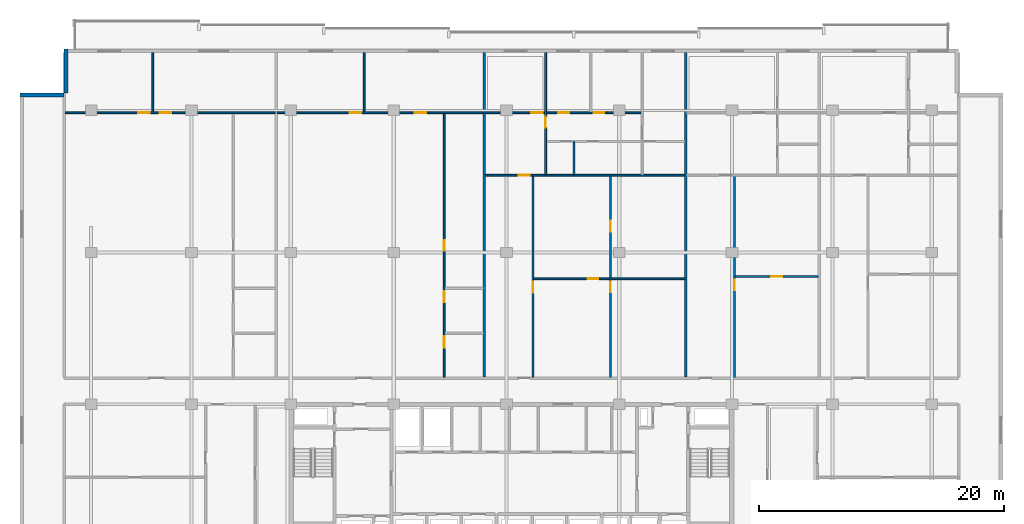
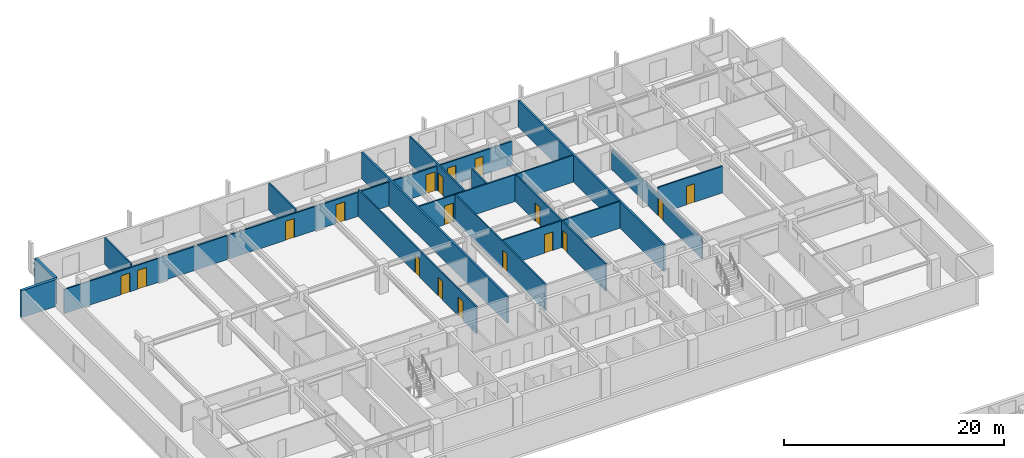
# One storey, part 14 of 22: 18 doors, 18 walls, 18 openings.
"""IFC4 building model written with IfcOpenShell, lengths in metres."""

from ifc_helpers import new_model, si_unit, direction, frame, frame_2d, origin, place, context, subcontext, project, spatial, rectangle, extrude, material, layer, layer_set, type_object, element, fill, save


model = new_model("IFC4")

# Units and contexts
model_context = context("Model", 3, precision=1e-05, world=origin(), true_north=direction((0.0, 1.0)))
body_context = subcontext(model_context, "Body", "Model", "MODEL_VIEW")
ifc_project = project(units=[si_unit("LENGTHUNIT", "METRE"), si_unit("AREAUNIT", "SQUARE_METRE"), si_unit("VOLUMEUNIT", "CUBIC_METRE"), si_unit("PLANEANGLEUNIT", "RADIAN"), si_unit("MASSUNIT", "GRAM", prefix="KILO")], contexts=[model_context])

# Site, building, storey
site_placement = place(None, origin())
site = spatial("IfcSite", under=ifc_project, at=site_placement, CompositionType="ELEMENT")
building_placement = place(site_placement, origin())
building = spatial("IfcBuilding", under=site, at=building_placement, Name="Korimba Cascade Residences", CompositionType="ELEMENT")
storey_placement = place(building_placement, frame((0.0, 0.0, 90.550048828125)))
storey = spatial("IfcBuildingStorey", under=building, at=storey_placement, Name="L25", CompositionType="ELEMENT", Elevation=90.550048828125)

# Walls
ifc_material_1 = material(Name="Precast concrete C40/50", Category="concrete")
ifc_layer_1 = layer(ifc_material_1, 0.300048828125)
ifc_layer_set_1 = layer_set([ifc_layer_1], Name="Precast concrete C40/50")
wall_type_1 = type_object("IfcWallType", Name="EW-STONE-300", PredefinedType="STANDARD", material=ifc_layer_set_1)
wall_1_placement = place(storey_placement, frame((57.75, 96.199951171875, 0.0), z_axis=(0.0, 0.0, 1.0), x_axis=(0.0, -1.0, 0.0)))
element("IfcWall", 1, at=wall_1_placement, inside=storey, type_object=wall_type_1, Name="L25 T1 Perimeter Stone Wall E07", PredefinedType="STANDARD", context=body_context, shape_type="SweptSolid", body=[
    extrude(rectangle(XDim=3.599853515625, YDim=0.300048828125, at=frame_2d((1.7998046875, 0.0))), origin(), (0.0, 0.0, 1.0), 2.969970703125),
])
wall_2_placement = place(storey_placement, frame((57.60009765625, 92.449951171875, 0.0), z_axis=(0.0, 0.0, 1.0), x_axis=(-1.0, 0.0, 0.0)))
element("IfcWall", 2, at=wall_2_placement, inside=storey, type_object=wall_type_1, Name="L25 T1 Perimeter Stone Wall E08", PredefinedType="STANDARD", context=body_context, shape_type="SweptSolid", body=[
    extrude(rectangle(XDim=3.60009765625, YDim=0.300048828125, at=frame_2d((1.800048828125, 0.0))), origin(), (0.0, 0.0, 1.0), 2.969970703125),
])
ifc_layer_2 = layer(ifc_material_1, 0.199951171875)
ifc_layer_set_2 = layer_set([ifc_layer_2], Name="Precast concrete C40/50")
wall_type_2 = type_object("IfcWallType", Name="WAL-IT-200", PredefinedType="PARTITIONING", material=ifc_layer_set_2)
for number, where, z_axis, x_axis, name in (
    (3, (91.892822265625, 69.429931640625, 0.0), (0.0, 0.0, 1.0), (0.0, 1.0, 0.0), "L25 Partition Wall WAL-L25-T1-DEM-2"),
    (4, (108.335693359375, 69.429931640625, 0.0), (0.0, 0.0, 1.0), (0.0, 1.0, 0.0), "L25 Partition Wall WAL-L25-T1-DEM-3"),
):
    element("IfcWall", number, at=place(storey_placement, frame(where, z_axis=z_axis, x_axis=x_axis)), inside=storey, type_object=wall_type_2, Name=name, PredefinedType="PARTITIONING", context=body_context, shape_type="SweptSolid", body=[
        extrude(rectangle(XDim=26.469970703125, YDim=0.199951171875, at=frame_2d((13.23486328125, 0.0))), origin(), (0.0, 0.0, 1.0), 2.969970703125),
    ])
ifc_material_2 = material(Name="Insulated Acoustic Stud Partition", Category="gypsum")
ifc_layer_3 = layer(ifc_material_2, 0.14990234375)
ifc_layer_set_3 = layer_set([ifc_layer_3], Name="Insulated Acoustic Stud Partition")
wall_type_3 = type_object("IfcWallType", Name="WAL-PART-150", PredefinedType="PARTITIONING", material=ifc_layer_set_3)
wall_3_placement = place(storey_placement, frame((64.8359375, 91.080078125, 0.0), z_axis=(0.0, 0.0, 1.0), x_axis=(0.0, 1.0, 0.0)))
element("IfcWall", 5, at=wall_3_placement, inside=storey, type_object=wall_type_3, Name="L25 Partition Wall WAL-L25-T1-U01-OUTV", PredefinedType="PARTITIONING", context=body_context, shape_type="SweptSolid", body=[
    extrude(rectangle(XDim=4.81982421875, YDim=0.14990234375, at=frame_2d((2.409912109375, 0.0))), origin(), (0.0, 0.0, 1.0), 2.969970703125),
])

# Wall, openings, doors
wall_4_placement = place(storey_placement, frame((57.679931640625, 91.0, 0.0), z_axis=(0.0, 0.0, 1.0), x_axis=(1.0, 0.0, 0.0)))
wall_4 = element("IfcWall", 6, at=wall_4_placement, inside=storey, type_object=wall_type_3, Name="L25 Partition Wall WAL-L25-T1-U01-HZ", PredefinedType="PARTITIONING", context=body_context, shape_type="SweptSolid", body=[
    extrude(rectangle(XDim=17.15185546875, YDim=0.14990234375, at=frame_2d((8.575927734375, 0.0))), origin(), (0.0, 0.0, 1.0), 2.663330078125),
])
opening_1_placement = place(wall_4_placement, frame((5.9658203125, 0.0, 0.0)))
opening_1 = element("IfcOpeningElement", 7, at=opening_1_placement, cuts=wall_4, Name="Opening D-IN0", PredefinedType="OPENING", context=body_context, shape_type="SweptSolid", body=[
    extrude(rectangle(XDim=0.93994140625, YDim=2.10009765625, at=frame_2d((0.469970703125, 1.050048828125))), frame((0.0, 0.0849609375, 0.0), z_axis=(0.0, -1.0, 0.0), x_axis=(1.0, 0.0, 0.0)), (0.0, 0.0, 1.0), 0.169921875),
])
opening_2_placement = place(wall_4_placement, frame((7.714111328125, 0.0, 0.0)))
opening_2 = element("IfcOpeningElement", 8, at=opening_2_placement, cuts=wall_4, Name="Opening D-IN0", PredefinedType="OPENING", context=body_context, shape_type="SweptSolid", body=[
    extrude(rectangle(XDim=0.93994140625, YDim=2.10009765625, at=frame_2d((0.469970703125, 1.050048828125))), frame((0.0, 0.0849609375, 0.0), z_axis=(0.0, -1.0, 0.0), x_axis=(1.0, 0.0, 0.0)), (0.0, 0.0, 1.0), 0.169921875),
])
ifc_material_3 = material(Name="Acoustic Timber Living Archway Door", Category="wood")
door_type_1 = type_object("IfcDoorType", Name="DR-INT-950", OperationType="NOTDEFINED", PredefinedType="DOOR", material=ifc_material_3)
door_1_placement = place(opening_1_placement, origin())
door_1 = element("IfcDoor", 9, at=door_1_placement, inside=storey, type_object=door_type_1, Name="L25-T1-U01 Executive Co-Working Office Door", OperationType="SINGLE_SWING_RIGHT", OverallHeight=2.10009765625, OverallWidth=0.93994140625, PredefinedType="DOOR", context=body_context, shape_type="SweptSolid", body=[
    extrude(rectangle(XDim=0.93994140625, YDim=2.10009765625, at=frame_2d((0.469970703125, 1.050048828125))), frame((0.0, 0.02490234375, 0.0), z_axis=(0.0, -1.0, 0.0), x_axis=(1.0, 0.0, 0.0)), (0.0, 0.0, 1.0), 0.050048828125),
])
fill(opening_1, door_1)
door_2_placement = place(opening_2_placement, origin())
door_2 = element("IfcDoor", 10, at=door_2_placement, inside=storey, type_object=door_type_1, Name="L25-T1-U01 Focus Workstation Office Door", OperationType="SINGLE_SWING_LEFT", OverallHeight=2.10009765625, OverallWidth=0.93994140625, PredefinedType="DOOR", context=body_context, shape_type="SweptSolid", body=[
    extrude(rectangle(XDim=0.93994140625, YDim=2.10009765625, at=frame_2d((0.469970703125, 1.050048828125))), frame((0.0, 0.02490234375, 0.0), z_axis=(0.0, -1.0, 0.0), x_axis=(1.0, 0.0, 0.0)), (0.0, 0.0, 1.0), 0.050048828125),
])
fill(opening_2, door_2)

wall_5_placement = place(storey_placement, frame((88.622802734375, 69.409912109375, 0.0), z_axis=(0.0, 0.0, 1.0), x_axis=(0.0, 1.0, 0.0)))
wall_5 = element("IfcWall", 11, at=wall_5_placement, inside=storey, type_object=wall_type_3, Name="L25 Partition Wall WAL-L25-T1-U02-WCV", PredefinedType="PARTITIONING", context=body_context, shape_type="SweptSolid", body=[
    extrude(rectangle(XDim=21.530029296875, YDim=0.14990234375, at=frame_2d((10.76513671875, 0.0))), origin(), (0.0, 0.0, 1.0), 2.969970703125),
])
opening_3_placement = place(wall_5_placement, frame((2.406005859375, 0.0, 0.0)))
opening_3 = element("IfcOpeningElement", 12, at=opening_3_placement, cuts=wall_5, Name="Opening D-AC1", PredefinedType="OPENING", context=body_context, shape_type="SweptSolid", body=[
    extrude(rectangle(XDim=0.9599609375, YDim=2.10009765625, at=frame_2d((0.47998046875, 1.050048828125))), frame((0.0, 0.0849609375, 0.0), z_axis=(0.0, -1.0, 0.0), x_axis=(1.0, 0.0, 0.0)), (0.0, 0.0, 1.0), 0.169921875),
])
opening_4_placement = place(wall_5_placement, frame((6.132568359375, 0.0, 0.0)))
opening_4 = element("IfcOpeningElement", 13, at=opening_4_placement, cuts=wall_5, Name="Opening D-IN2", PredefinedType="OPENING", context=body_context, shape_type="SweptSolid", body=[
    extrude(rectangle(XDim=0.8798828125, YDim=2.06005859375, at=frame_2d((0.43994140625, 1.030029296875))), frame((0.0, 0.0849609375, 0.0), z_axis=(0.0, -1.0, 0.0), x_axis=(1.0, 0.0, 0.0)), (0.0, 0.0, 1.0), 0.169921875),
])
opening_5_placement = place(wall_5_placement, frame((10.344970703125, 0.0, 0.0)))
opening_5 = element("IfcOpeningElement", 14, at=opening_5_placement, cuts=wall_5, Name="Opening D-BT1", PredefinedType="OPENING", context=body_context, shape_type="SweptSolid", body=[
    extrude(rectangle(XDim=0.840087890625, YDim=2.0400390625, at=frame_2d((0.419921875, 1.02001953125))), frame((0.0, 0.0849609375, 0.0), z_axis=(0.0, -1.0, 0.0), x_axis=(1.0, 0.0, 0.0)), (0.0, 0.0, 1.0), 0.169921875),
])
ifc_material_4 = material(Name="Accessible Acoustic Timber WC Door", Category="wood")
door_type_2 = type_object("IfcDoorType", Name="DR-ACC-950", OperationType="NOTDEFINED", PredefinedType="DOOR", material=ifc_material_4)
door_3_placement = place(opening_3_placement, origin())
door_3 = element("IfcDoor", 15, at=door_3_placement, inside=storey, type_object=door_type_2, Name="L25-T1-U02 Accessible WC Door", OperationType="SINGLE_SWING_RIGHT", OverallHeight=2.10009765625, OverallWidth=0.9599609375, PredefinedType="DOOR", context=body_context, shape_type="SweptSolid", body=[
    extrude(rectangle(XDim=0.9599609375, YDim=2.10009765625, at=frame_2d((0.47998046875, 1.050048828125))), frame((0.0, 0.02490234375, 0.0), z_axis=(0.0, -1.0, 0.0), x_axis=(1.0, 0.0, 0.0)), (0.0, 0.0, 1.0), 0.050048828125),
])
fill(opening_3, door_3)
ifc_material_5 = material(Name="Moisture-Resistant Bathroom Timber Door", Category="wood")
door_type_3 = type_object("IfcDoorType", Name="DR-INT-850", OperationType="NOTDEFINED", PredefinedType="DOOR", material=ifc_material_5)
door_4_placement = place(opening_5_placement, origin())
door_4 = element("IfcDoor", 16, at=door_4_placement, inside=storey, type_object=door_type_3, Name="L25-T1-U02 Suite Store Door", OperationType="SINGLE_SWING_RIGHT", OverallHeight=2.0400390625, OverallWidth=0.840087890625, PredefinedType="DOOR", context=body_context, shape_type="SweptSolid", body=[
    extrude(rectangle(XDim=0.840087890625, YDim=2.0400390625, at=frame_2d((0.419921875, 1.02001953125))), frame((0.0, 0.02490234375, 0.0), z_axis=(0.0, -1.0, 0.0), x_axis=(1.0, 0.0, 0.0)), (0.0, 0.0, 1.0), 0.050048828125),
])
fill(opening_5, door_4)
ifc_material_6 = material(Name="Acoustic Timber Bedroom Door", Category="wood")
door_type_4 = type_object("IfcDoorType", Name="DR-INT-880", OperationType="NOTDEFINED", PredefinedType="DOOR", material=ifc_material_6)
door_5_placement = place(opening_4_placement, origin())
door_5 = element("IfcDoor", 17, at=door_5_placement, inside=storey, type_object=door_type_4, Name="L25-T1-U02 Restroom WC Door", OperationType="SINGLE_SWING_LEFT", OverallHeight=2.06005859375, OverallWidth=0.8798828125, PredefinedType="DOOR", context=body_context, shape_type="SweptSolid", body=[
    extrude(rectangle(XDim=0.8798828125, YDim=2.06005859375, at=frame_2d((0.43994140625, 1.030029296875))), frame((0.0, 0.02490234375, 0.0), z_axis=(0.0, -1.0, 0.0), x_axis=(1.0, 0.0, 0.0)), (0.0, 0.0, 1.0), 0.050048828125),
])
fill(opening_4, door_5)

# Wall
wall_6_placement = place(storey_placement, frame((82.097412109375, 91.080078125, 0.0), z_axis=(0.0, 0.0, 1.0), x_axis=(0.0, 1.0, 0.0)))
element("IfcWall", 18, at=wall_6_placement, inside=storey, type_object=wall_type_3, Name="L25 Partition Wall WAL-L25-T1-U02-OUTV", PredefinedType="PARTITIONING", context=body_context, shape_type="SweptSolid", body=[
    extrude(rectangle(XDim=4.81982421875, YDim=0.14990234375, at=frame_2d((2.409912109375, 0.0))), origin(), (0.0, 0.0, 1.0), 2.969970703125),
])

# Wall, openings, doors
wall_7_placement = place(storey_placement, frame((74.991943359375, 91.0, 0.0), z_axis=(0.0, 0.0, 1.0), x_axis=(1.0, 0.0, 0.0)))
wall_7 = element("IfcWall", 19, at=wall_7_placement, inside=storey, type_object=wall_type_3, Name="L25 Partition Wall WAL-L25-T1-U02-HZ", PredefinedType="PARTITIONING", context=body_context, shape_type="SweptSolid", body=[
    extrude(rectangle(XDim=16.821044921875, YDim=0.14990234375, at=frame_2d((8.41064453125, 0.0))), origin(), (0.0, 0.0, 1.0), 2.663330078125),
])
opening_6_placement = place(wall_7_placement, frame((5.91552734375, 0.0, 0.0)))
opening_6 = element("IfcOpeningElement", 20, at=opening_6_placement, cuts=wall_7, Name="Opening D-IN0", PredefinedType="OPENING", context=body_context, shape_type="SweptSolid", body=[
    extrude(rectangle(XDim=0.93994140625, YDim=2.10009765625, at=frame_2d((0.469970703125, 1.050048828125))), frame((0.0, 0.0849609375, 0.0), z_axis=(0.0, -1.0, 0.0), x_axis=(1.0, 0.0, 0.0)), (0.0, 0.0, 1.0), 0.169921875),
])
opening_7_placement = place(wall_7_placement, frame((11.220458984375, 0.0, 0.0)))
opening_7 = element("IfcOpeningElement", 21, at=opening_7_placement, cuts=wall_7, Name="Opening D-IN0", PredefinedType="OPENING", context=body_context, shape_type="SweptSolid", body=[
    extrude(rectangle(XDim=0.93994140625, YDim=2.10009765625, at=frame_2d((0.469970703125, 1.050048828125))), frame((0.0, 0.0849609375, 0.0), z_axis=(0.0, -1.0, 0.0), x_axis=(1.0, 0.0, 0.0)), (0.0, 0.0, 1.0), 0.169921875),
])
door_6_placement = place(opening_6_placement, origin())
door_6 = element("IfcDoor", 22, at=door_6_placement, inside=storey, type_object=door_type_1, Name="L25-T1-U02 Executive Co-Working Office Door", OperationType="SINGLE_SWING_LEFT", OverallHeight=2.10009765625, OverallWidth=0.93994140625, PredefinedType="DOOR", context=body_context, shape_type="SweptSolid", body=[
    extrude(rectangle(XDim=0.93994140625, YDim=2.10009765625, at=frame_2d((0.469970703125, 1.050048828125))), frame((0.0, 0.02490234375, 0.0), z_axis=(0.0, -1.0, 0.0), x_axis=(1.0, 0.0, 0.0)), (0.0, 0.0, 1.0), 0.050048828125),
])
fill(opening_6, door_6)
door_7_placement = place(opening_7_placement, origin())
door_7 = element("IfcDoor", 23, at=door_7_placement, inside=storey, type_object=door_type_1, Name="L25-T1-U02 Focus Workstation Office Door", OperationType="SINGLE_SWING_RIGHT", OverallHeight=2.10009765625, OverallWidth=0.93994140625, PredefinedType="DOOR", context=body_context, shape_type="SweptSolid", body=[
    extrude(rectangle(XDim=0.93994140625, YDim=2.10009765625, at=frame_2d((0.469970703125, 1.050048828125))), frame((0.0, 0.02490234375, 0.0), z_axis=(0.0, -1.0, 0.0), x_axis=(1.0, 0.0, 0.0)), (0.0, 0.0, 1.0), 0.050048828125),
])
fill(opening_7, door_7)

wall_8_placement = place(storey_placement, frame((102.189453125, 69.409912109375, 0.0), z_axis=(0.0, 0.0, 1.0), x_axis=(0.0, 1.0, 0.0)))
wall_8 = element("IfcWall", 24, at=wall_8_placement, inside=storey, type_object=wall_type_3, Name="L25 Partition Wall WAL-L25-T1-U03-FMV", PredefinedType="PARTITIONING", context=body_context, shape_type="SweptSolid", body=[
    extrude(rectangle(XDim=16.4501953125, YDim=0.14990234375, at=frame_2d((8.22509765625, 0.0))), origin(), (0.0, 0.0, 1.0), 2.969970703125),
])
opening_8_placement = place(wall_8_placement, frame((6.955078125, 0.0, 0.0)))
opening_8 = element("IfcOpeningElement", 25, at=opening_8_placement, cuts=wall_8, Name="Opening D-BT1", PredefinedType="OPENING", context=body_context, shape_type="SweptSolid", body=[
    extrude(rectangle(XDim=0.840087890625, YDim=2.0400390625, at=frame_2d((0.419921875, 1.02001953125))), frame((0.0, 0.0849609375, 0.0), z_axis=(0.0, -1.0, 0.0), x_axis=(1.0, 0.0, 0.0)), (0.0, 0.0, 1.0), 0.169921875),
])
opening_9_placement = place(wall_8_placement, frame((11.89599609375, 0.0, 0.0)))
opening_9 = element("IfcOpeningElement", 26, at=opening_9_placement, cuts=wall_8, Name="Opening D-IN2", PredefinedType="OPENING", context=body_context, shape_type="SweptSolid", body=[
    extrude(rectangle(XDim=0.8798828125, YDim=2.06005859375, at=frame_2d((0.43994140625, 1.030029296875))), frame((0.0, 0.0849609375, 0.0), z_axis=(0.0, -1.0, 0.0), x_axis=(1.0, 0.0, 0.0)), (0.0, 0.0, 1.0), 0.169921875),
])
door_8_placement = place(opening_8_placement, origin())
door_8 = element("IfcDoor", 27, at=door_8_placement, inside=storey, type_object=door_type_3, Name="L25-T1-U03 Wardrobe Door", OperationType="SINGLE_SWING_LEFT", OverallHeight=2.0400390625, OverallWidth=0.840087890625, PredefinedType="DOOR", context=body_context, shape_type="SweptSolid", body=[
    extrude(rectangle(XDim=0.840087890625, YDim=2.0400390625, at=frame_2d((0.419921875, 1.02001953125))), frame((0.0, 0.02490234375, 0.0), z_axis=(0.0, -1.0, 0.0), x_axis=(1.0, 0.0, 0.0)), (0.0, 0.0, 1.0), 0.050048828125),
])
fill(opening_8, door_8)
door_9_placement = place(opening_9_placement, origin())
door_9 = element("IfcDoor", 28, at=door_9_placement, inside=storey, type_object=door_type_4, Name="L25-T1-U03 Music Lounge Door", OperationType="SINGLE_SWING_RIGHT", OverallHeight=2.06005859375, OverallWidth=0.8798828125, PredefinedType="DOOR", context=body_context, shape_type="SweptSolid", body=[
    extrude(rectangle(XDim=0.8798828125, YDim=2.06005859375, at=frame_2d((0.43994140625, 1.030029296875))), frame((0.0, 0.02490234375, 0.0), z_axis=(0.0, -1.0, 0.0), x_axis=(1.0, 0.0, 0.0)), (0.0, 0.0, 1.0), 0.050048828125),
])
fill(opening_9, door_9)

# Wall, opening, door
wall_9_placement = place(storey_placement, frame((95.9228515625, 77.455078125, 0.0), z_axis=(0.0, 0.0, 1.0), x_axis=(1.0, 0.0, 0.0)))
wall_9 = element("IfcWall", 29, at=wall_9_placement, inside=storey, type_object=wall_type_3, Name="L25 Partition Wall WAL-L25-T1-U03-FMH", PredefinedType="PARTITIONING", context=body_context, shape_type="SweptSolid", body=[
    extrude(rectangle(XDim=12.3330078125, YDim=0.14990234375, at=frame_2d((6.16650390625, 0.0))), origin(), (0.0, 0.0, 1.0), 2.969970703125),
])
opening_10_placement = place(wall_9_placement, frame((4.39599609375, 0.0, 0.0)))
opening_10 = element("IfcOpeningElement", 30, at=opening_10_placement, cuts=wall_9, Name="Opening D-IN2", PredefinedType="OPENING", context=body_context, shape_type="SweptSolid", body=[
    extrude(rectangle(XDim=0.8798828125, YDim=2.06005859375, at=frame_2d((0.43994140625, 1.030029296875))), frame((0.0, 0.0849609375, 0.0), z_axis=(0.0, -1.0, 0.0), x_axis=(1.0, 0.0, 0.0)), (0.0, 0.0, 1.0), 0.169921875),
])
door_10_placement = place(opening_10_placement, origin())
door_10 = element("IfcDoor", 31, at=door_10_placement, inside=storey, type_object=door_type_4, Name="L25-T1-U03 Library Salon Door", OperationType="SINGLE_SWING_LEFT", OverallHeight=2.06005859375, OverallWidth=0.8798828125, PredefinedType="DOOR", context=body_context, shape_type="SweptSolid", body=[
    extrude(rectangle(XDim=0.8798828125, YDim=2.06005859375, at=frame_2d((0.43994140625, 1.030029296875))), frame((0.0, 0.02490234375, 0.0), z_axis=(0.0, -1.0, 0.0), x_axis=(1.0, 0.0, 0.0)), (0.0, 0.0, 1.0), 0.050048828125),
])
fill(opening_10, door_10)

wall_10_placement = place(storey_placement, frame((95.86279296875, 69.409912109375, 0.0), z_axis=(0.0, 0.0, 1.0), x_axis=(0.0, 1.0, 0.0)))
wall_10 = element("IfcWall", 32, at=wall_10_placement, inside=storey, type_object=wall_type_3, Name="L25 Partition Wall WAL-L25-T1-U03-FV", PredefinedType="PARTITIONING", context=body_context, shape_type="SweptSolid", body=[
    extrude(rectangle(XDim=16.4501953125, YDim=0.14990234375, at=frame_2d((8.22509765625, 0.0))), origin(), (0.0, 0.0, 1.0), 2.969970703125),
])
opening_11_placement = place(wall_10_placement, frame((6.9150390625, 0.0, 0.0)))
opening_11 = element("IfcOpeningElement", 33, at=opening_11_placement, cuts=wall_10, Name="Opening D-IN2", PredefinedType="OPENING", context=body_context, shape_type="SweptSolid", body=[
    extrude(rectangle(XDim=0.8798828125, YDim=2.06005859375, at=frame_2d((0.43994140625, 1.030029296875))), frame((0.0, 0.0849609375, 0.0), z_axis=(0.0, -1.0, 0.0), x_axis=(1.0, 0.0, 0.0)), (0.0, 0.0, 1.0), 0.169921875),
])
door_11_placement = place(opening_11_placement, origin())
door_11 = element("IfcDoor", 34, at=door_11_placement, inside=storey, type_object=door_type_4, Name="L25-T1-U03 Media Lounge Door", OperationType="SINGLE_SWING_RIGHT", OverallHeight=2.06005859375, OverallWidth=0.8798828125, PredefinedType="DOOR", context=body_context, shape_type="SweptSolid", body=[
    extrude(rectangle(XDim=0.8798828125, YDim=2.06005859375, at=frame_2d((0.43994140625, 1.030029296875))), frame((0.0, 0.02490234375, 0.0), z_axis=(0.0, -1.0, 0.0), x_axis=(1.0, 0.0, 0.0)), (0.0, 0.0, 1.0), 0.050048828125),
])
fill(opening_11, door_11)

# Wall
wall_11_placement = place(storey_placement, frame((99.202880859375, 85.93994140625, 0.0), z_axis=(0.0, 0.0, 1.0), x_axis=(0.0, 1.0, 0.0)))
element("IfcWall", 35, at=wall_11_placement, inside=storey, type_object=wall_type_3, Name="L25 Partition Wall WAL-L25-T1-U03-VDRS", PredefinedType="PARTITIONING", context=body_context, shape_type="SweptSolid", body=[
    extrude(rectangle(XDim=2.68994140625, YDim=0.14990234375, at=frame_2d((1.344970703125, 0.0))), origin(), (0.0, 0.0, 1.0), 2.969970703125),
])

# Wall, opening, door
wall_12_placement = place(storey_placement, frame((96.892822265625, 85.93994140625, 0.0), z_axis=(0.0, 0.0, 1.0), x_axis=(0.0, 1.0, 0.0)))
wall_12 = element("IfcWall", 36, at=wall_12_placement, inside=storey, type_object=wall_type_3, Name="L25 Partition Wall WAL-L25-T1-U03-V1", PredefinedType="PARTITIONING", context=body_context, shape_type="SweptSolid", body=[
    extrude(rectangle(XDim=9.9599609375, YDim=0.14990234375, at=frame_2d((4.97998046875, 0.0))), origin(), (0.0, 0.0, 1.0), 2.969970703125),
])
opening_12_placement = place(wall_12_placement, frame((3.820068359375, 0.0, 0.0)))
opening_12 = element("IfcOpeningElement", 37, at=opening_12_placement, cuts=wall_12, Name="Opening D-IN1", PredefinedType="OPENING", context=body_context, shape_type="SweptSolid", body=[
    extrude(rectangle(XDim=0.919921875, YDim=2.080078125, at=frame_2d((0.4599609375, 1.0400390625))), frame((0.0, 0.0849609375, 0.0), z_axis=(0.0, -1.0, 0.0), x_axis=(1.0, 0.0, 0.0)), (0.0, 0.0, 1.0), 0.169921875),
])
ifc_material_7 = material(Name="Acoustic Timber Living Door", Category="wood")
door_type_5 = type_object("IfcDoorType", Name="DR-INT-920", OperationType="NOTDEFINED", PredefinedType="DOOR", material=ifc_material_7)
door_12_placement = place(opening_12_placement, origin())
door_12 = element("IfcDoor", 38, at=door_12_placement, inside=storey, type_object=door_type_5, Name="L25-T1-U03 Hallway Door", OperationType="SINGLE_SWING_LEFT", OverallHeight=2.080078125, OverallWidth=0.919921875, PredefinedType="DOOR", context=body_context, shape_type="SweptSolid", body=[
    extrude(rectangle(XDim=0.919921875, YDim=2.080078125, at=frame_2d((0.4599609375, 1.0400390625))), frame((0.0, 0.02490234375, 0.0), z_axis=(0.0, -1.0, 0.0), x_axis=(1.0, 0.0, 0.0)), (0.0, 0.0, 1.0), 0.050048828125),
])
fill(opening_12, door_12)

wall_13_placement = place(storey_placement, frame((91.972900390625, 85.89990234375, 0.0), z_axis=(0.0, 0.0, 1.0), x_axis=(1.0, 0.0, 0.0)))
wall_13 = element("IfcWall", 39, at=wall_13_placement, inside=storey, type_object=wall_type_3, Name="L25 Partition Wall WAL-L25-T1-U03-MW", PredefinedType="PARTITIONING", context=body_context, shape_type="SweptSolid", body=[
    extrude(rectangle(XDim=16.282958984375, YDim=0.14990234375, at=frame_2d((8.1416015625, 0.0))), origin(), (0.0, 0.0, 1.0), 2.969970703125),
])
opening_13_placement = place(wall_13_placement, frame((2.719970703125, 0.0, 0.0)))
opening_13 = element("IfcOpeningElement", 40, at=opening_13_placement, cuts=wall_13, Name="Opening D-IN1", PredefinedType="OPENING", context=body_context, shape_type="SweptSolid", body=[
    extrude(rectangle(XDim=0.919921875, YDim=2.080078125, at=frame_2d((0.4599609375, 1.0400390625))), frame((0.0, 0.0849609375, 0.0), z_axis=(0.0, -1.0, 0.0), x_axis=(1.0, 0.0, 0.0)), (0.0, 0.0, 1.0), 0.169921875),
])
door_13_placement = place(opening_13_placement, origin())
door_13 = element("IfcDoor", 41, at=door_13_placement, inside=storey, type_object=door_type_5, Name="L25-T1-U03 Kitchen Door", OperationType="SINGLE_SWING_RIGHT", OverallHeight=2.080078125, OverallWidth=0.919921875, PredefinedType="DOOR", context=body_context, shape_type="SweptSolid", body=[
    extrude(rectangle(XDim=0.919921875, YDim=2.080078125, at=frame_2d((0.4599609375, 1.0400390625))), frame((0.0, 0.02490234375, 0.0), z_axis=(0.0, -1.0, 0.0), x_axis=(1.0, 0.0, 0.0)), (0.0, 0.0, 1.0), 0.050048828125),
])
fill(opening_13, door_13)

# Wall, openings, doors
wall_14_placement = place(storey_placement, frame((91.972900390625, 91.0, 0.0), z_axis=(0.0, 0.0, 1.0), x_axis=(1.0, 0.0, 0.0)))
wall_14 = element("IfcWall", 42, at=wall_14_placement, inside=storey, type_object=wall_type_3, Name="L25 Partition Wall WAL-L25-T1-U03-HZ", PredefinedType="PARTITIONING", context=body_context, shape_type="SweptSolid", body=[
    extrude(rectangle(XDim=12.80712890625, YDim=0.14990234375, at=frame_2d((6.403564453125, 0.0))), origin(), (0.0, 0.0, 1.0), 2.663330078125),
])
opening_14_placement = place(wall_14_placement, frame((3.72998046875, 0.0, 0.0)))
opening_14 = element("IfcOpeningElement", 43, at=opening_14_placement, cuts=wall_14, Name="Opening D-IN0", PredefinedType="OPENING", context=body_context, shape_type="SweptSolid", body=[
    extrude(rectangle(XDim=0.93994140625, YDim=2.10009765625, at=frame_2d((0.469970703125, 1.050048828125))), frame((0.0, 0.0849609375, 0.0), z_axis=(0.0, -1.0, 0.0), x_axis=(1.0, 0.0, 0.0)), (0.0, 0.0, 1.0), 0.169921875),
])
opening_15_placement = place(wall_14_placement, frame((5.963623046875, 0.0, 0.0)))
opening_15 = element("IfcOpeningElement", 44, at=opening_15_placement, cuts=wall_14, Name="Opening D-IN2", PredefinedType="OPENING", context=body_context, shape_type="SweptSolid", body=[
    extrude(rectangle(XDim=0.8798828125, YDim=2.06005859375, at=frame_2d((0.43994140625, 1.030029296875))), frame((0.0, 0.0849609375, 0.0), z_axis=(0.0, -1.0, 0.0), x_axis=(1.0, 0.0, 0.0)), (0.0, 0.0, 1.0), 0.169921875),
])
opening_16_placement = place(wall_14_placement, frame((8.83349609375, 0.0, 0.0)))
opening_16 = element("IfcOpeningElement", 45, at=opening_16_placement, cuts=wall_14, Name="Opening D-IN2", PredefinedType="OPENING", context=body_context, shape_type="SweptSolid", body=[
    extrude(rectangle(XDim=0.8798828125, YDim=2.06005859375, at=frame_2d((0.43994140625, 1.030029296875))), frame((0.0, 0.0849609375, 0.0), z_axis=(0.0, -1.0, 0.0), x_axis=(1.0, 0.0, 0.0)), (0.0, 0.0, 1.0), 0.169921875),
])
door_14_placement = place(opening_15_placement, origin())
door_14 = element("IfcDoor", 46, at=door_14_placement, inside=storey, type_object=door_type_4, Name="L25-T1-U03 Bedroom 2 Door", OperationType="SINGLE_SWING_RIGHT", OverallHeight=2.06005859375, OverallWidth=0.8798828125, PredefinedType="DOOR", context=body_context, shape_type="SweptSolid", body=[
    extrude(rectangle(XDim=0.8798828125, YDim=2.06005859375, at=frame_2d((0.43994140625, 1.030029296875))), frame((0.0, 0.02490234375, 0.0), z_axis=(0.0, -1.0, 0.0), x_axis=(1.0, 0.0, 0.0)), (0.0, 0.0, 1.0), 0.050048828125),
])
fill(opening_15, door_14)
door_15_placement = place(opening_16_placement, origin())
door_15 = element("IfcDoor", 47, at=door_15_placement, inside=storey, type_object=door_type_4, Name="L25-T1-U03 Study Door", OperationType="SINGLE_SWING_LEFT", OverallHeight=2.06005859375, OverallWidth=0.8798828125, PredefinedType="DOOR", context=body_context, shape_type="SweptSolid", body=[
    extrude(rectangle(XDim=0.8798828125, YDim=2.06005859375, at=frame_2d((0.43994140625, 1.030029296875))), frame((0.0, 0.02490234375, 0.0), z_axis=(0.0, -1.0, 0.0), x_axis=(1.0, 0.0, 0.0)), (0.0, 0.0, 1.0), 0.050048828125),
])
fill(opening_16, door_15)
door_16_placement = place(opening_14_placement, origin())
door_16 = element("IfcDoor", 48, at=door_16_placement, inside=storey, type_object=door_type_1, Name="L25-T1-U03 Living Room Door", OperationType="SINGLE_SWING_LEFT", OverallHeight=2.10009765625, OverallWidth=0.93994140625, PredefinedType="DOOR", context=body_context, shape_type="SweptSolid", body=[
    extrude(rectangle(XDim=0.93994140625, YDim=2.10009765625, at=frame_2d((0.469970703125, 1.050048828125))), frame((0.0, 0.02490234375, 0.0), z_axis=(0.0, -1.0, 0.0), x_axis=(1.0, 0.0, 0.0)), (0.0, 0.0, 1.0), 0.050048828125),
])
fill(opening_14, door_16)

# Wall, opening, door
wall_15_placement = place(storey_placement, frame((112.36572265625, 77.635009765625, 0.0), z_axis=(0.0, 0.0, 1.0), x_axis=(1.0, 0.0, 0.0)))
wall_15 = element("IfcWall", 49, at=wall_15_placement, inside=storey, type_object=wall_type_3, Name="L25 Partition Wall WAL-L25-T1-U04-FMH", PredefinedType="PARTITIONING", context=body_context, shape_type="SweptSolid", body=[
    extrude(rectangle(XDim=6.78759765625, YDim=0.14990234375, at=frame_2d((3.393798828125, 0.0))), origin(), (0.0, 0.0, 1.0), 2.969970703125),
])
opening_17_placement = place(wall_15_placement, frame((2.953857421875, 0.0, 0.0)))
opening_17 = element("IfcOpeningElement", 50, at=opening_17_placement, cuts=wall_15, Name="Opening D-IN2", PredefinedType="OPENING", context=body_context, shape_type="SweptSolid", body=[
    extrude(rectangle(XDim=0.8798828125, YDim=2.06005859375, at=frame_2d((0.43994140625, 1.030029296875))), frame((0.0, 0.0849609375, 0.0), z_axis=(0.0, -1.0, 0.0), x_axis=(1.0, 0.0, 0.0)), (0.0, 0.0, 1.0), 0.169921875),
])
door_17_placement = place(opening_17_placement, origin())
door_17 = element("IfcDoor", 51, at=door_17_placement, inside=storey, type_object=door_type_4, Name="L25-T1-U04 Library Salon Door", OperationType="SINGLE_SWING_RIGHT", OverallHeight=2.06005859375, OverallWidth=0.8798828125, PredefinedType="DOOR", context=body_context, shape_type="SweptSolid", body=[
    extrude(rectangle(XDim=0.8798828125, YDim=2.06005859375, at=frame_2d((0.43994140625, 1.030029296875))), frame((0.0, 0.02490234375, 0.0), z_axis=(0.0, -1.0, 0.0), x_axis=(1.0, 0.0, 0.0)), (0.0, 0.0, 1.0), 0.050048828125),
])
fill(opening_17, door_17)

wall_16_placement = place(storey_placement, frame((112.305908203125, 69.409912109375, 0.0), z_axis=(0.0, 0.0, 1.0), x_axis=(0.0, 1.0, 0.0)))
wall_16 = element("IfcWall", 52, at=wall_16_placement, inside=storey, type_object=wall_type_3, Name="L25 Partition Wall WAL-L25-T1-U04-FV", PredefinedType="PARTITIONING", context=body_context, shape_type="SweptSolid", body=[
    extrude(rectangle(XDim=16.4501953125, YDim=0.14990234375, at=frame_2d((8.22509765625, 0.0))), origin(), (0.0, 0.0, 1.0), 2.277099609375),
])
opening_18_placement = place(wall_16_placement, frame((7.094970703125, 0.0, 0.0)))
opening_18 = element("IfcOpeningElement", 53, at=opening_18_placement, cuts=wall_16, Name="Opening D-IN2", PredefinedType="OPENING", context=body_context, shape_type="SweptSolid", body=[
    extrude(rectangle(XDim=0.8798828125, YDim=2.06005859375, at=frame_2d((0.43994140625, 1.030029296875))), frame((0.0, 0.0849609375, 0.0), z_axis=(0.0, -1.0, 0.0), x_axis=(1.0, 0.0, 0.0)), (0.0, 0.0, 1.0), 0.169921875),
])
door_18_placement = place(opening_18_placement, origin())
door_18 = element("IfcDoor", 54, at=door_18_placement, inside=storey, type_object=door_type_4, Name="L25-T1-U04 Media Lounge Door", OperationType="SINGLE_SWING_LEFT", OverallHeight=2.06005859375, OverallWidth=0.8798828125, PredefinedType="DOOR", context=body_context, shape_type="SweptSolid", body=[
    extrude(rectangle(XDim=0.8798828125, YDim=2.06005859375, at=frame_2d((0.43994140625, 1.030029296875))), frame((0.0, 0.02490234375, 0.0), z_axis=(0.0, -1.0, 0.0), x_axis=(1.0, 0.0, 0.0)), (0.0, 0.0, 1.0), 0.050048828125),
])
fill(opening_18, door_18)

save(model, "model.ifc")
